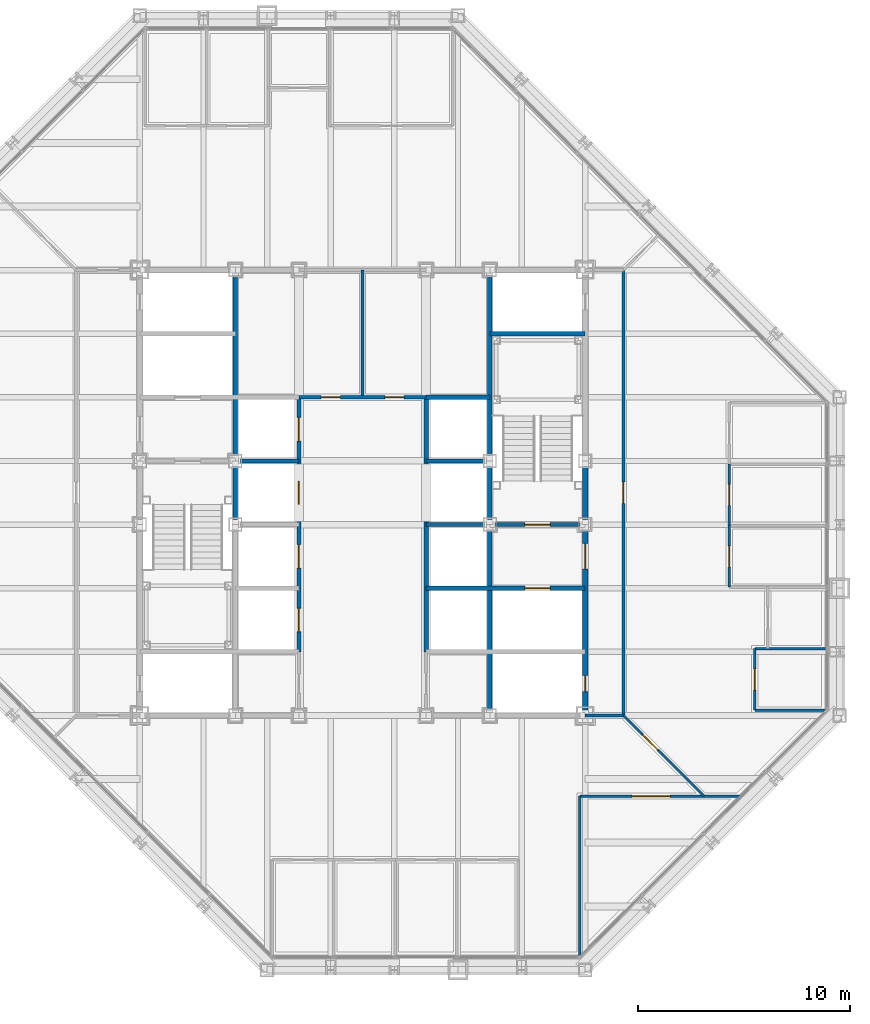
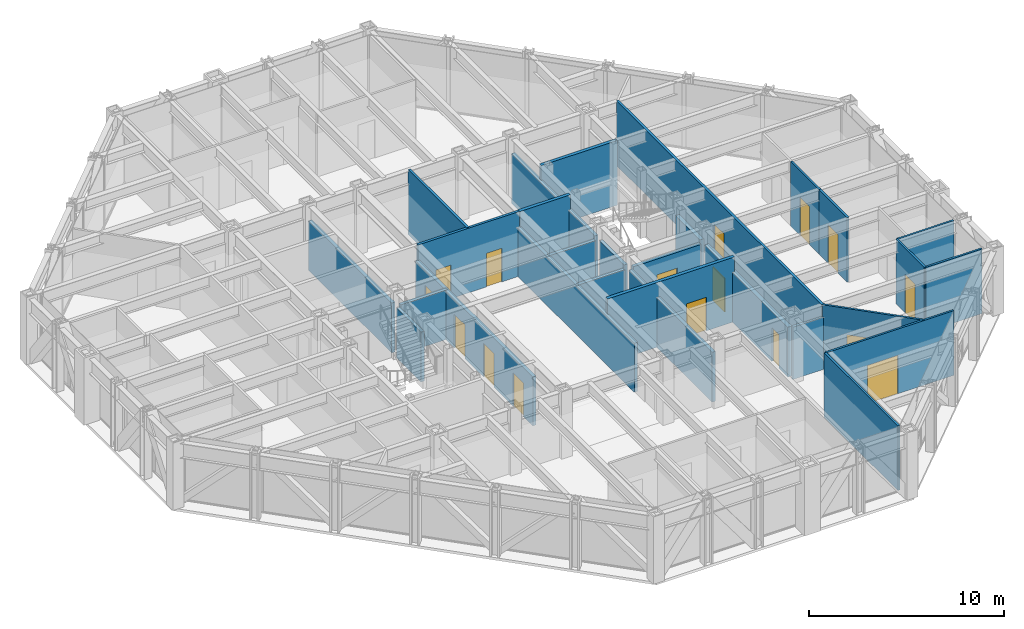
# One storey, part 11 of 15: 28 walls, 16 doors, 16 openings.
"""IFC4 building model written with IfcOpenShell, lengths in metres."""

import ifcopenshell
import ifcopenshell.guid

model = None  # the IFC model being written
_history = None  # IfcOwnerHistory: only IFC2X3 demands one
_inside = {}  # id of a spatial element -> (the spatial element, [elements in it])
_under = {}  # id of a project, library or spatial element -> (it, [spatial elements below it])
_declared = {}  # id of a project -> (the project, [libraries it declares])
_typed = {}  # id of a type object -> (the type object, [elements of that type])
_made_of = {}  # id of a material, layer set ... -> (it, [elements and type objects made of it])


def new_model(schema):
    """Start an empty IFC model of exactly this schema.

    Asked for "IFC4X3", IfcOpenShell would pick the latest addendum, in which some entities
    have other attributes; the version numbers below select the first issue.
    IFC2X3 requires an IfcOwnerHistory on every rooted entity: one is made here for all.
    """
    global model, _history
    if schema == "IFC4X3":
        model = ifcopenshell.file(schema_version=(4, 3, 0, 0))
    else:
        model = ifcopenshell.file(schema=schema)
    _inside.clear()
    _under.clear()
    _declared.clear()
    _typed.clear()
    _made_of.clear()
    _history = None
    if model.schema == "IFC2X3":
        org = make("IfcOrganization", Name="unknown")
        user = make(
            "IfcPersonAndOrganization",
            ThePerson=make("IfcPerson", FamilyName="unknown"),
            TheOrganization=org,
        )
        app = make(
            "IfcApplication",
            ApplicationDeveloper=org,
            Version="unknown",
            ApplicationFullName="unknown",
            ApplicationIdentifier="unknown",
        )
        _history = make(
            "IfcOwnerHistory",
            OwningUser=user,
            OwningApplication=app,
            ChangeAction="ADDED",
            CreationDate=0,
        )
    return model


def make(cls, **values):
    """One entity of the class cls with the attributes given. An attribute that is None is left unset."""
    return model.create_entity(
        cls, **{name: value for name, value in values.items() if value is not None}
    )


def rooted(cls, **values):
    """An entity with a GlobalId (a new one), such as an element, a storey or a relation."""
    return make(cls, GlobalId=ifcopenshell.guid.new(), OwnerHistory=_history, **values)


def si_unit(unit_type, name, prefix=None):
    """IfcSIUnit, for example si_unit("LENGTHUNIT", "METRE", prefix="MILLI")."""
    return make("IfcSIUnit", UnitType=unit_type, Prefix=prefix, Name=name)


def assignment(units):
    """IfcUnitAssignment: the units of a project."""
    return None if units is None else make("IfcUnitAssignment", Units=units)


def point(xyz):
    """IfcCartesianPoint."""
    return None if xyz is None else make("IfcCartesianPoint", Coordinates=xyz)


def direction(xyz):
    """IfcDirection."""
    return None if xyz is None else make("IfcDirection", DirectionRatios=xyz)


def frame(location, z_axis=None, x_axis=None):
    """IfcAxis2Placement3D, a coordinate frame: its origin and axes. An axis left out is left unset."""
    return make(
        "IfcAxis2Placement3D",
        Location=point(location),
        Axis=direction(z_axis),
        RefDirection=direction(x_axis),
    )


def frame_2d(location, x_axis=None):
    """IfcAxis2Placement2D, a coordinate frame in the plane: its origin and x axis."""
    return make(
        "IfcAxis2Placement2D", Location=point(location), RefDirection=direction(x_axis)
    )


def origin():
    """The frame at (0, 0, 0) with its axes left unset."""
    return frame((0.0, 0.0, 0.0))


def place(relative_to, where):
    """IfcLocalPlacement: puts the frame where relative to a parent placement (None: the world)."""
    return make(
        "IfcLocalPlacement", PlacementRelTo=relative_to, RelativePlacement=where
    )


def context(
    kind, dimensions, precision=None, world=None, true_north=None, identifier=None
):
    """IfcGeometricRepresentationContext, for example the 3D "Model" context."""
    return make(
        "IfcGeometricRepresentationContext",
        ContextIdentifier=identifier,
        ContextType=kind,
        CoordinateSpaceDimension=dimensions,
        Precision=precision,
        WorldCoordinateSystem=world,
        TrueNorth=true_north,
    )


def subcontext(parent, identifier, kind, view, scale=None):
    """IfcGeometricRepresentationSubContext, for example "Body" below "Model"."""
    return make(
        "IfcGeometricRepresentationSubContext",
        ContextIdentifier=identifier,
        ContextType=kind,
        ParentContext=parent,
        TargetScale=scale,
        TargetView=view,
    )


def project(units=None, contexts=None):
    """IfcProject with its units and contexts."""
    return rooted(
        "IfcProject",
        Name="project",
        RepresentationContexts=contexts,
        UnitsInContext=assignment(units),
    )


def spatial(cls, under=None, at=None, **own):
    """A site, building, storey or space (cls), placed at a placement, below another one or the project."""
    s = rooted(cls, ObjectPlacement=at, **own)
    if under is not None:
        _under.setdefault(under.id(), (under, []))[1].append(s)
    return s


def profile(cls, at=None, kind="AREA", **sizes):
    """A parametric profile (cls). Its sizes go by their IFC names, for example OverallWidth=200.0."""
    return make(cls, ProfileType=kind, Position=at, **sizes)


def rectangle(**sizes):
    """IfcRectangleProfileDef."""
    return profile("IfcRectangleProfileDef", **sizes)


def extrude(swept, where, along, depth):
    """IfcExtrudedAreaSolid: the profile swept, set in the frame where, extruded along a direction by depth."""
    return make(
        "IfcExtrudedAreaSolid",
        SweptArea=swept,
        Position=where,
        ExtrudedDirection=direction(along),
        Depth=depth,
    )


def shape(context_of_items, identifier, shape_type, items):
    """IfcShapeRepresentation: the items that make up one representation, for example the "Body"."""
    return make(
        "IfcShapeRepresentation",
        ContextOfItems=context_of_items,
        RepresentationIdentifier=identifier,
        RepresentationType=shape_type,
        Items=items,
    )


def material(Name=None, Category=None):
    """IfcMaterial."""
    return make("IfcMaterial", Name=Name, Category=Category)


def layer(
    of_material, thickness, ventilated=None, Name=None, Category=None, Priority=None
):
    """IfcMaterialLayer: one layer of a wall or slab, of a material (None: an air gap)."""
    return make(
        "IfcMaterialLayer",
        Material=of_material,
        LayerThickness=thickness,
        IsVentilated=ventilated,
        Name=Name,
        Category=Category,
        Priority=Priority,
    )


def layer_set(layers, Name=None):
    """IfcMaterialLayerSet."""
    return make("IfcMaterialLayerSet", MaterialLayers=layers, LayerSetName=Name)


def made_of(thing, what):
    """Note that an element or type object is made of a material, layer set ...; save() writes the relation."""
    if what is not None:
        _made_of.setdefault(what.id(), (what, []))[1].append(thing)
    return thing


def type_object(cls, material=None, **own):
    """A type object (cls), such as IfcWallType, which elements share."""
    return made_of(rooted(cls, **own), material)


def element(
    cls,
    number,
    at=None,
    inside=None,
    cuts=None,
    type_object=None,
    material=None,
    context=None,
    identifier="Body",
    shape_type=None,
    held_by="IfcProductDefinitionShape",
    body=None,
    shapes=None,
    **own,
):
    """One element of the class cls, such as IfcWall. Its Tag is "e" and its number.

    at: its placement. inside: the storey or other place that contains it. cuts: it is an
    opening in that element (IfcRelVoidsElement). A single representation is given by context,
    identifier, shape_type and body (its items); several are given by shapes. held_by: the class
    of the entity that holds the representations. save() writes the other relations.
    """
    e = rooted(cls, Tag="e%d" % number, ObjectPlacement=at, **own)
    if body is not None:
        shapes = [shape(context, identifier, shape_type, body)]
    if shapes is not None:
        e.Representation = make(held_by, Representations=shapes)
    if inside is not None:
        _inside.setdefault(inside.id(), (inside, []))[1].append(e)
    if cuts is not None:
        rooted(
            "IfcRelVoidsElement", RelatingBuildingElement=cuts, RelatedOpeningElement=e
        )
    if type_object is not None:
        _typed.setdefault(type_object.id(), (type_object, []))[1].append(e)
    return made_of(e, material)


def fill(opening, filler):
    """IfcRelFillsElement: the door or window that sits in an opening."""
    return rooted(
        "IfcRelFillsElement",
        RelatingOpeningElement=opening,
        RelatedBuildingElement=filler,
    )


def aggregate(whole, parts):
    """IfcRelAggregates: a whole, such as a stair, and the parts it consists of."""
    return rooted("IfcRelAggregates", RelatingObject=whole, RelatedObjects=parts)


def save(model, path):
    """Write the relations noted so far, then the file.

    IfcRelAggregates (storeys below a building ...), IfcRelContainedInSpatialStructure (elements
    in a storey), IfcRelDefinesByType, IfcRelAssociatesMaterial and IfcRelDeclares: one each for
    every whole, place, type object, material and project.
    """
    for whole, parts in _under.values():
        aggregate(whole, parts)
    for where, things in _inside.values():
        rooted(
            "IfcRelContainedInSpatialStructure",
            RelatedElements=things,
            RelatingStructure=where,
        )
    for kind, things in _typed.values():
        rooted("IfcRelDefinesByType", RelatedObjects=things, RelatingType=kind)
    for what, things in _made_of.values():
        rooted("IfcRelAssociatesMaterial", RelatedObjects=things, RelatingMaterial=what)
    for by, libraries in _declared.values():
        rooted("IfcRelDeclares", RelatingContext=by, RelatedDefinitions=libraries)
    model.write(path)


model = new_model("IFC4")

# Units and contexts
model_context = context("Model", 3, precision=1e-05, world=origin(), true_north=direction((0.0, 1.0)))
body_context = subcontext(model_context, "Body", "Model", "MODEL_VIEW")
ifc_project = project(units=[si_unit("LENGTHUNIT", "METRE"), si_unit("AREAUNIT", "SQUARE_METRE"), si_unit("VOLUMEUNIT", "CUBIC_METRE"), si_unit("PLANEANGLEUNIT", "RADIAN"), si_unit("MASSUNIT", "GRAM", prefix="KILO")], contexts=[model_context])

# Site, building, storey
site_placement = place(None, origin())
site = spatial("IfcSite", under=ifc_project, at=site_placement, CompositionType="ELEMENT")
building_placement = place(site_placement, origin())
building = spatial("IfcBuilding", under=site, at=building_placement, Name="Chuquiago Exchange Tower", CompositionType="ELEMENT")
storey_placement = place(building_placement, frame((0.0, 0.0, 188.699951171875)))
storey = spatial("IfcBuildingStorey", under=building, at=storey_placement, Name="L41", CompositionType="ELEMENT", Elevation=188.699951171875)

# Wall, openings, doors
ifc_material_1 = material(Name="Concrete masonry, fully grouted", Category="masonry")
ifc_layer_1 = layer(ifc_material_1, 0.25)
ifc_layer_set_1 = layer_set([ifc_layer_1], Name="W1 core wall 250")
wall_type_1 = type_object("IfcWallType", Name="W1 core wall 250", PredefinedType="SOLIDWALL", material=ifc_layer_set_1)
wall_1_placement = place(storey_placement, frame((33.0, 12.25, 0.0), z_axis=(0.0, 0.0, 1.0), x_axis=(0.0, 1.0, 0.0)))
wall_1 = element("IfcWall", 1, at=wall_1_placement, inside=storey, type_object=wall_type_1, Name="CW-L41-25-0", PredefinedType="SOLIDWALL", context=body_context, shape_type="SweptSolid", body=[
    extrude(rectangle(XDim=8.5, YDim=0.25, at=frame_2d((4.25, 0.0))), origin(), (0.0, 0.0, 1.0), 3.113037109375),
])
opening_1_placement = place(wall_1_placement, frame((6.64990234375, 0.0, 0.0)))
opening_1 = element("IfcOpeningElement", 2, at=opening_1_placement, cuts=wall_1, Name="Opening L41-004", PredefinedType="OPENING", context=body_context, shape_type="SweptSolid", body=[
    extrude(rectangle(XDim=1.199951171875, YDim=2.10009765625, at=frame_2d((0.60009765625, 1.050048828125))), frame((0.0, 0.135009765625, 0.0), z_axis=(0.0, -1.0, 0.0), x_axis=(1.0, 0.0, 0.0)), (0.0, 0.0, 1.0), 0.27001953125),
])
opening_2_placement = place(wall_1_placement, frame((0.875, 0.0, 0.0)))
opening_2 = element("IfcOpeningElement", 3, at=opening_2_placement, cuts=wall_1, Name="Opening L41-009", PredefinedType="OPENING", context=body_context, shape_type="SweptSolid", body=[
    extrude(rectangle(XDim=0.75, YDim=2.10009765625, at=frame_2d((0.375, 1.050048828125))), frame((0.0, 0.135009765625, 0.0), z_axis=(0.0, -1.0, 0.0), x_axis=(1.0, 0.0, 0.0)), (0.0, 0.0, 1.0), 0.27001953125),
])
ifc_material_2 = material(Name="Steel door, painted", Category="steel")
door_type_1 = type_object("IfcDoorType", Name="D5 firefighting lobby door 1200x2100", OperationType="SINGLE_SWING_LEFT", PredefinedType="DOOR", material=ifc_material_2)
door_1_placement = place(opening_1_placement, origin())
door_1 = element("IfcDoor", 4, at=door_1_placement, inside=storey, type_object=door_type_1, Name="Firefighting lobby 2 door", OperationType="SINGLE_SWING_RIGHT", OverallHeight=2.10009765625, OverallWidth=1.199951171875, PredefinedType="DOOR", context=body_context, shape_type="SweptSolid", body=[
    extrude(rectangle(XDim=1.199951171875, YDim=2.10009765625, at=frame_2d((0.60009765625, 1.050048828125))), frame((0.0, 0.02490234375, 0.0), z_axis=(0.0, -1.0, 0.0), x_axis=(1.0, 0.0, 0.0)), (0.0, 0.0, 1.0), 0.050048828125),
])
fill(opening_1, door_1)
ifc_material_3 = material(Name="Steel door, painted", Category="steel")
door_type_2 = type_object("IfcDoorType", Name="D6 riser access door 750x2100", OperationType="SINGLE_SWING_LEFT", PredefinedType="DOOR", material=ifc_material_3)
door_2_placement = place(opening_2_placement, frame((0.75, 0.0, 0.0), z_axis=(0.0, 0.0, 1.0), x_axis=(-1.0, 0.0, 0.0)))
door_2 = element("IfcDoor", 5, at=door_2_placement, inside=storey, type_object=door_type_2, Name="Riser RE1 door", OperationType="SINGLE_SWING_RIGHT", OverallHeight=2.10009765625, OverallWidth=0.75, PredefinedType="DOOR", context=body_context, shape_type="SweptSolid", body=[
    extrude(rectangle(XDim=0.75, YDim=2.10009765625, at=frame_2d((0.375, 1.050048828125))), frame((0.0, 0.02490234375, 0.0), z_axis=(0.0, -1.0, 0.0), x_axis=(1.0, 0.0, 0.0)), (0.0, 0.0, 1.0), 0.050048828125),
])
fill(opening_2, door_2)

# Wall
wall_2_placement = place(storey_placement, frame((33.0, 21.25, 0.0), z_axis=(0.0, 0.0, 1.0), x_axis=(0.0, 1.0, 0.0)))
element("IfcWall", 6, at=wall_2_placement, inside=storey, type_object=wall_type_1, Name="CW-L41-25-1", PredefinedType="SOLIDWALL", context=body_context, shape_type="SweptSolid", body=[
    extrude(rectangle(XDim=2.5, YDim=0.25, at=frame_2d((1.25, 0.0))), origin(), (0.0, 0.0, 1.0), 3.113037109375),
])

# Wall, opening, door
ifc_material_4 = material(Name="Gypsum board on steel studs, acoustic insulation", Category="steel")
ifc_layer_2 = layer(ifc_material_4, 0.14990234375)
ifc_layer_set_2 = layer_set([ifc_layer_2], Name="W11 corridor wall 150")
wall_type_2 = type_object("IfcWallType", Name="W11 corridor wall 150", PredefinedType="PARTITIONING", material=ifc_layer_set_2)
wall_3_placement = place(storey_placement, frame((34.800048828125, 12.0, 0.0), z_axis=(0.0, 0.0, 1.0), x_axis=(0.0, 1.0, 0.0)))
wall_3 = element("IfcWall", 7, at=wall_3_placement, inside=storey, type_object=wall_type_2, Name="PW-L41-GE0", PredefinedType="PARTITIONING", context=body_context, shape_type="SweptSolid", body=[
    extrude(rectangle(XDim=21.0, YDim=0.14990234375, at=frame_2d((10.5, 0.0))), origin(), (0.0, 0.0, 1.0), 4.0400390625),
])
opening_3_placement = place(wall_3_placement, frame((10.0, 0.0, 0.0)))
opening_3 = element("IfcOpeningElement", 8, at=opening_3_placement, cuts=wall_3, Name="Opening L41-040", PredefinedType="OPENING", context=body_context, shape_type="SweptSolid", body=[
    extrude(rectangle(XDim=1.0, YDim=2.39990234375, at=frame_2d((0.5, 1.199951171875))), frame((0.0, 0.0849609375, 0.0), z_axis=(0.0, -1.0, 0.0), x_axis=(1.0, 0.0, 0.0)), (0.0, 0.0, 1.0), 0.169921875),
])
ifc_material_5 = material(Name="Timber door, laminate faced", Category="wood")
door_type_3 = type_object("IfcDoorType", Name="D9 room door 1000x2400", OperationType="SINGLE_SWING_LEFT", PredefinedType="DOOR", material=ifc_material_5)
door_3_placement = place(opening_3_placement, frame((1.0, 0.0, 0.0), z_axis=(0.0, 0.0, 1.0), x_axis=(-1.0, 0.0, 0.0)))
door_3 = element("IfcDoor", 9, at=door_3_placement, inside=storey, type_object=door_type_3, Name="Team area door", OperationType="SINGLE_SWING_RIGHT", OverallHeight=2.39990234375, OverallWidth=1.0, PredefinedType="DOOR", context=body_context, shape_type="SweptSolid", body=[
    extrude(rectangle(XDim=1.0, YDim=2.39990234375, at=frame_2d((0.5, 1.199951171875))), frame((0.0, 0.02490234375, 0.0), z_axis=(0.0, -1.0, 0.0), x_axis=(1.0, 0.0, 0.0)), (0.0, 0.0, 1.0), 0.050048828125),
])
fill(opening_3, door_3)

# Walls
wall_4_placement = place(storey_placement, frame((33.0, 12.0, 0.0), z_axis=(0.0, 0.0, 1.0), x_axis=(1.0, 0.0, 0.0)))
element("IfcWall", 10, at=wall_4_placement, inside=storey, type_object=wall_type_2, Name="PW-L41-GES0", PredefinedType="PARTITIONING", context=body_context, shape_type="SweptSolid", body=[
    extrude(rectangle(XDim=1.800048828125, YDim=0.14990234375, at=frame_2d((0.89990234375, 0.0))), origin(), (0.0, 0.0, 1.0), 3.2705078125),
])
ifc_material_6 = material(Name="Concrete masonry, fully grouted", Category="masonry")
ifc_layer_3 = layer(ifc_material_6, 0.199951171875)
ifc_layer_set_3 = layer_set([ifc_layer_3], Name="W2 shaft wall 200")
wall_type_3 = type_object("IfcWallType", Name="W2 shaft wall 200", PredefinedType="SOLIDWALL", material=ifc_layer_set_3)
for number, where, z_axis, x_axis, name in (
    (11, (16.75, 24.0, 0.0), (0.0, 0.0, 1.0), (1.0, 0.0, 0.0), "CW-L41-05-1"),
    (12, (25.5, 24.0, 0.0), (0.0, 0.0, 1.0), (1.0, 0.0, 0.0), "CW-L41-06-0"),
):
    element("IfcWall", number, at=place(storey_placement, frame(where, z_axis=z_axis, x_axis=x_axis)), inside=storey, type_object=wall_type_3, Name=name, PredefinedType="SOLIDWALL", context=body_context, shape_type="SweptSolid", body=[
        extrude(rectangle(XDim=2.75, YDim=0.199951171875, at=frame_2d((1.375, 0.0))), origin(), (0.0, 0.0, 1.0), 3.090087890625),
    ])
wall_5_placement = place(storey_placement, frame((25.5, 27.0, 0.0), z_axis=(0.0, 0.0, 1.0), x_axis=(1.0, 0.0, 0.0)))
element("IfcWall", 13, at=wall_5_placement, inside=storey, type_object=wall_type_3, Name="CW-L41-08-0", PredefinedType="SOLIDWALL", context=body_context, shape_type="SweptSolid", body=[
    extrude(rectangle(XDim=3.0, YDim=0.199951171875, at=frame_2d((1.5, 0.0))), origin(), (0.0, 0.0, 1.0), 4.0400390625),
])
wall_6_placement = place(storey_placement, frame((28.5, 30.0, 0.0), z_axis=(0.0, 0.0, 1.0), x_axis=(1.0, 0.0, 0.0)))
element("IfcWall", 14, at=wall_6_placement, inside=storey, type_object=wall_type_3, Name="CW-L41-10-0", PredefinedType="SOLIDWALL", context=body_context, shape_type="SweptSolid", body=[
    extrude(rectangle(XDim=4.5, YDim=0.199951171875, at=frame_2d((2.25, 0.0))), origin(), (0.0, 0.0, 1.0), 4.0400390625),
])
wall_7_placement = place(storey_placement, frame((16.5, 21.25, 0.0), z_axis=(0.0, 0.0, 1.0), x_axis=(0.0, 1.0, 0.0)))
element("IfcWall", 15, at=wall_7_placement, inside=storey, type_object=wall_type_3, Name="CW-L41-13-1", PredefinedType="SOLIDWALL", context=body_context, shape_type="SweptSolid", body=[
    extrude(rectangle(XDim=2.5, YDim=0.199951171875, at=frame_2d((1.25, 0.0))), origin(), (0.0, 0.0, 1.0), 3.113037109375),
])
wall_8_placement = place(storey_placement, frame((16.5, 24.25, 0.0), z_axis=(0.0, 0.0, 1.0), x_axis=(0.0, 1.0, 0.0)))
element("IfcWall", 16, at=wall_8_placement, inside=storey, type_object=wall_type_3, Name="CW-L41-13-2", PredefinedType="SOLIDWALL", context=body_context, shape_type="SweptSolid", body=[
    extrude(rectangle(XDim=8.5, YDim=0.199951171875, at=frame_2d((4.25, 0.0))), origin(), (0.0, 0.0, 1.0), 3.113037109375),
])

# Wall, opening, door
wall_9_placement = place(storey_placement, frame((25.5, 18.0, 0.0), z_axis=(0.0, 0.0, 1.0), x_axis=(1.0, 0.0, 0.0)))
wall_9 = element("IfcWall", 17, at=wall_9_placement, inside=storey, type_object=wall_type_3, Name="CW-L41-15-0", PredefinedType="SOLIDWALL", context=body_context, shape_type="SweptSolid", body=[
    extrude(rectangle(XDim=7.5, YDim=0.199951171875, at=frame_2d((3.75, 0.0))), origin(), (0.0, 0.0, 1.0), 4.0400390625),
])
opening_4_placement = place(wall_9_placement, frame((4.64990234375, 0.0, 0.0)))
opening_4 = element("IfcOpeningElement", 18, at=opening_4_placement, cuts=wall_9, Name="Opening L41-006", PredefinedType="OPENING", context=body_context, shape_type="SweptSolid", body=[
    extrude(rectangle(XDim=1.199951171875, YDim=2.10009765625, at=frame_2d((0.60009765625, 1.050048828125))), frame((0.0, 0.10986328125, 0.0), z_axis=(0.0, -1.0, 0.0), x_axis=(1.0, 0.0, 0.0)), (0.0, 0.0, 1.0), 0.219970703125),
])
ifc_material_7 = material(Name="Stainless steel lift landing door", Category="steel")
door_type_4 = type_object("IfcDoorType", Name="LD2 firefighting lift landing door 1200x2100", OperationType="DOUBLE_DOOR_SLIDING", PredefinedType="DOOR", material=ifc_material_7)
door_4_placement = place(opening_4_placement, origin())
door_4 = element("IfcDoor", 19, at=door_4_placement, inside=storey, type_object=door_type_4, Name="Firefighting lift FL2 landing door", OperationType="DOUBLE_DOOR_SLIDING", OverallHeight=2.10009765625, OverallWidth=1.199951171875, PredefinedType="DOOR", context=body_context, shape_type="SweptSolid", body=[
    extrude(rectangle(XDim=1.199951171875, YDim=2.10009765625, at=frame_2d((0.60009765625, 1.050048828125))), frame((0.0, 0.02490234375, 0.0), z_axis=(0.0, -1.0, 0.0), x_axis=(1.0, 0.0, 0.0)), (0.0, 0.0, 1.0), 0.050048828125),
])
fill(opening_4, door_4)

# Wall
wall_10_placement = place(storey_placement, frame((25.5, 21.0, 0.0), z_axis=(0.0, 0.0, 1.0), x_axis=(1.0, 0.0, 0.0)))
element("IfcWall", 20, at=wall_10_placement, inside=storey, type_object=wall_type_3, Name="CW-L41-17-0", PredefinedType="SOLIDWALL", context=body_context, shape_type="SweptSolid", body=[
    extrude(rectangle(XDim=2.75, YDim=0.199951171875, at=frame_2d((1.375, 0.0))), origin(), (0.0, 0.0, 1.0), 3.090087890625),
])

# Wall, opening, door
wall_11_placement = place(storey_placement, frame((28.75, 21.0, 0.0), z_axis=(0.0, 0.0, 1.0), x_axis=(1.0, 0.0, 0.0)))
wall_11 = element("IfcWall", 21, at=wall_11_placement, inside=storey, type_object=wall_type_3, Name="CW-L41-17-1", PredefinedType="SOLIDWALL", context=body_context, shape_type="SweptSolid", body=[
    extrude(rectangle(XDim=4.0, YDim=0.199951171875, at=frame_2d((2.0, 0.0))), origin(), (0.0, 0.0, 1.0), 3.090087890625),
])
opening_5_placement = place(wall_11_placement, frame((1.39990234375, 0.0, 0.0)))
opening_5 = element("IfcOpeningElement", 22, at=opening_5_placement, cuts=wall_11, Name="Opening L41-003", PredefinedType="OPENING", context=body_context, shape_type="SweptSolid", body=[
    extrude(rectangle(XDim=1.199951171875, YDim=2.10009765625, at=frame_2d((0.60009765625, 1.050048828125))), frame((0.0, 0.10986328125, 0.0), z_axis=(0.0, -1.0, 0.0), x_axis=(1.0, 0.0, 0.0)), (0.0, 0.0, 1.0), 0.219970703125),
])
ifc_material_8 = material(Name="Steel door, painted", Category="steel")
door_type_5 = type_object("IfcDoorType", Name="D4 stair door 1200x2100", OperationType="SINGLE_SWING_LEFT", PredefinedType="DOOR", material=ifc_material_8)
door_5_placement = place(opening_5_placement, origin())
door_5 = element("IfcDoor", 23, at=door_5_placement, inside=storey, type_object=door_type_5, Name="Stair ST2 door", OperationType="SINGLE_SWING_LEFT", OverallHeight=2.10009765625, OverallWidth=1.199951171875, PredefinedType="DOOR", context=body_context, shape_type="SweptSolid", body=[
    extrude(rectangle(XDim=1.199951171875, YDim=2.10009765625, at=frame_2d((0.60009765625, 1.050048828125))), frame((0.0, 0.02490234375, 0.0), z_axis=(0.0, -1.0, 0.0), x_axis=(1.0, 0.0, 0.0)), (0.0, 0.0, 1.0), 0.050048828125),
])
fill(opening_5, door_5)

# Wall, openings, doors
wall_12_placement = place(storey_placement, frame((19.5, 15.0, 0.0), z_axis=(0.0, 0.0, 1.0), x_axis=(0.0, 1.0, 0.0)))
wall_12 = element("IfcWall", 24, at=wall_12_placement, inside=storey, type_object=wall_type_3, Name="CW-L41-19-0", PredefinedType="SOLIDWALL", context=body_context, shape_type="SweptSolid", body=[
    extrude(rectangle(XDim=12.0, YDim=0.199951171875, at=frame_2d((6.0, 0.0))), origin(), (0.0, 0.0, 1.0), 3.064697265625),
])
opening_6_placement = place(wall_12_placement, frame((0.949951171875, 0.0, 0.0)))
opening_6 = element("IfcOpeningElement", 25, at=opening_6_placement, cuts=wall_12, Name="Opening L41-015", PredefinedType="OPENING", context=body_context, shape_type="SweptSolid", body=[
    extrude(rectangle(XDim=1.10009765625, YDim=2.10009765625, at=frame_2d((0.550048828125, 1.050048828125))), frame((0.0, 0.10986328125, 0.0), z_axis=(0.0, -1.0, 0.0), x_axis=(1.0, 0.0, 0.0)), (0.0, 0.0, 1.0), 0.219970703125),
])
opening_7_placement = place(wall_12_placement, frame((3.949951171875, 0.0, 0.0)))
opening_7 = element("IfcOpeningElement", 26, at=opening_7_placement, cuts=wall_12, Name="Opening L41-016", PredefinedType="OPENING", context=body_context, shape_type="SweptSolid", body=[
    extrude(rectangle(XDim=1.10009765625, YDim=2.10009765625, at=frame_2d((0.550048828125, 1.050048828125))), frame((0.0, 0.10986328125, 0.0), z_axis=(0.0, -1.0, 0.0), x_axis=(1.0, 0.0, 0.0)), (0.0, 0.0, 1.0), 0.219970703125),
])
opening_8_placement = place(wall_12_placement, frame((6.949951171875, 0.0, 0.0)))
opening_8 = element("IfcOpeningElement", 27, at=opening_8_placement, cuts=wall_12, Name="Opening L41-017", PredefinedType="OPENING", context=body_context, shape_type="SweptSolid", body=[
    extrude(rectangle(XDim=1.10009765625, YDim=2.10009765625, at=frame_2d((0.550048828125, 1.050048828125))), frame((0.0, 0.10986328125, 0.0), z_axis=(0.0, -1.0, 0.0), x_axis=(1.0, 0.0, 0.0)), (0.0, 0.0, 1.0), 0.219970703125),
])
opening_9_placement = place(wall_12_placement, frame((9.949951171875, 0.0, 0.0)))
opening_9 = element("IfcOpeningElement", 28, at=opening_9_placement, cuts=wall_12, Name="Opening L41-018", PredefinedType="OPENING", context=body_context, shape_type="SweptSolid", body=[
    extrude(rectangle(XDim=1.10009765625, YDim=2.10009765625, at=frame_2d((0.550048828125, 1.050048828125))), frame((0.0, 0.10986328125, 0.0), z_axis=(0.0, -1.0, 0.0), x_axis=(1.0, 0.0, 0.0)), (0.0, 0.0, 1.0), 0.219970703125),
])
ifc_material_9 = material(Name="Stainless steel lift landing door", Category="steel")
door_type_6 = type_object("IfcDoorType", Name="LD1 lift landing door 1100x2100", OperationType="DOUBLE_DOOR_SLIDING", PredefinedType="DOOR", material=ifc_material_9)
door_6_placement = place(opening_6_placement, origin())
door_6 = element("IfcDoor", 29, at=door_6_placement, inside=storey, type_object=door_type_6, Name="Lift LC1 landing door", OperationType="DOUBLE_DOOR_SLIDING", OverallHeight=2.10009765625, OverallWidth=1.10009765625, PredefinedType="DOOR", context=body_context, shape_type="SweptSolid", body=[
    extrude(rectangle(XDim=1.10009765625, YDim=2.10009765625, at=frame_2d((0.550048828125, 1.050048828125))), frame((0.0, 0.02490234375, 0.0), z_axis=(0.0, -1.0, 0.0), x_axis=(1.0, 0.0, 0.0)), (0.0, 0.0, 1.0), 0.050048828125),
])
fill(opening_6, door_6)
door_7_placement = place(opening_7_placement, origin())
door_7 = element("IfcDoor", 30, at=door_7_placement, inside=storey, type_object=door_type_6, Name="Lift LC2 landing door", OperationType="DOUBLE_DOOR_SLIDING", OverallHeight=2.10009765625, OverallWidth=1.10009765625, PredefinedType="DOOR", context=body_context, shape_type="SweptSolid", body=[
    extrude(rectangle(XDim=1.10009765625, YDim=2.10009765625, at=frame_2d((0.550048828125, 1.050048828125))), frame((0.0, 0.02490234375, 0.0), z_axis=(0.0, -1.0, 0.0), x_axis=(1.0, 0.0, 0.0)), (0.0, 0.0, 1.0), 0.050048828125),
])
fill(opening_7, door_7)
door_8_placement = place(opening_8_placement, origin())
door_8 = element("IfcDoor", 31, at=door_8_placement, inside=storey, type_object=door_type_6, Name="Lift LC3 landing door", OperationType="DOUBLE_DOOR_SLIDING", OverallHeight=2.10009765625, OverallWidth=1.10009765625, PredefinedType="DOOR", context=body_context, shape_type="SweptSolid", body=[
    extrude(rectangle(XDim=1.10009765625, YDim=2.10009765625, at=frame_2d((0.550048828125, 1.050048828125))), frame((0.0, 0.02490234375, 0.0), z_axis=(0.0, -1.0, 0.0), x_axis=(1.0, 0.0, 0.0)), (0.0, 0.0, 1.0), 0.050048828125),
])
fill(opening_8, door_8)
door_9_placement = place(opening_9_placement, origin())
door_9 = element("IfcDoor", 32, at=door_9_placement, inside=storey, type_object=door_type_6, Name="Lift LC4 landing door", OperationType="DOUBLE_DOOR_SLIDING", OverallHeight=2.10009765625, OverallWidth=1.10009765625, PredefinedType="DOOR", context=body_context, shape_type="SweptSolid", body=[
    extrude(rectangle(XDim=1.10009765625, YDim=2.10009765625, at=frame_2d((0.550048828125, 1.050048828125))), frame((0.0, 0.02490234375, 0.0), z_axis=(0.0, -1.0, 0.0), x_axis=(1.0, 0.0, 0.0)), (0.0, 0.0, 1.0), 0.050048828125),
])
fill(opening_9, door_9)

# Walls
wall_13_placement = place(storey_placement, frame((25.5, 15.0, 0.0), z_axis=(0.0, 0.0, 1.0), x_axis=(0.0, 1.0, 0.0)))
element("IfcWall", 33, at=wall_13_placement, inside=storey, type_object=wall_type_3, Name="CW-L41-22-0", PredefinedType="SOLIDWALL", context=body_context, shape_type="SweptSolid", body=[
    extrude(rectangle(XDim=12.0, YDim=0.199951171875, at=frame_2d((6.0, 0.0))), origin(), (0.0, 0.0, 1.0), 3.064697265625),
])
wall_14_placement = place(storey_placement, frame((28.5, 12.25, 0.0), z_axis=(0.0, 0.0, 1.0), x_axis=(0.0, 1.0, 0.0)))
element("IfcWall", 34, at=wall_14_placement, inside=storey, type_object=wall_type_3, Name="CW-L41-24-0", PredefinedType="SOLIDWALL", context=body_context, shape_type="SweptSolid", body=[
    extrude(rectangle(XDim=8.5, YDim=0.199951171875, at=frame_2d((4.25, 0.0))), origin(), (0.0, 0.0, 1.0), 3.113037109375),
])
wall_15_placement = place(storey_placement, frame((28.5, 21.25, 0.0), z_axis=(0.0, 0.0, 1.0), x_axis=(0.0, 1.0, 0.0)))
element("IfcWall", 35, at=wall_15_placement, inside=storey, type_object=wall_type_3, Name="CW-L41-24-1", PredefinedType="SOLIDWALL", context=body_context, shape_type="SweptSolid", body=[
    extrude(rectangle(XDim=2.5, YDim=0.199951171875, at=frame_2d((1.25, 0.0))), origin(), (0.0, 0.0, 1.0), 3.113037109375),
])
wall_16_placement = place(storey_placement, frame((28.5, 24.25, 0.0), z_axis=(0.0, 0.0, 1.0), x_axis=(0.0, 1.0, 0.0)))
element("IfcWall", 36, at=wall_16_placement, inside=storey, type_object=wall_type_3, Name="CW-L41-24-2", PredefinedType="SOLIDWALL", context=body_context, shape_type="SweptSolid", body=[
    extrude(rectangle(XDim=8.5, YDim=0.199951171875, at=frame_2d((4.25, 0.0))), origin(), (0.0, 0.0, 1.0), 3.113037109375),
])

# Wall, openings, doors
ifc_material_10 = material(Name="Gypsum board on steel studs", Category="steel")
ifc_layer_4 = layer(ifc_material_10, 0.14990234375)
ifc_layer_set_4 = layer_set([ifc_layer_4], Name="W3 core partition 150")
wall_type_4 = type_object("IfcWallType", Name="W3 core partition 150", PredefinedType="PARTITIONING", material=ifc_layer_set_4)
wall_17_placement = place(storey_placement, frame((19.5, 27.0, 0.0), z_axis=(0.0, 0.0, 1.0), x_axis=(1.0, 0.0, 0.0)))
wall_17 = element("IfcWall", 37, at=wall_17_placement, inside=storey, type_object=wall_type_4, Name="CW-L41-TF", PredefinedType="PARTITIONING", context=body_context, shape_type="SweptSolid", body=[
    extrude(rectangle(XDim=6.0, YDim=0.14990234375, at=frame_2d((3.0, 0.0))), origin(), (0.0, 0.0, 1.0), 4.0400390625),
])
opening_10_placement = place(wall_17_placement, frame((1.050048828125, 0.0, 0.0)))
opening_10 = element("IfcOpeningElement", 38, at=opening_10_placement, cuts=wall_17, Name="Opening L41-011", PredefinedType="OPENING", context=body_context, shape_type="SweptSolid", body=[
    extrude(rectangle(XDim=0.89990234375, YDim=2.10009765625, at=frame_2d((0.449951171875, 1.050048828125))), frame((0.0, 0.0849609375, 0.0), z_axis=(0.0, -1.0, 0.0), x_axis=(1.0, 0.0, 0.0)), (0.0, 0.0, 1.0), 0.169921875),
])
opening_11_placement = place(wall_17_placement, frame((4.050048828125, 0.0, 0.0)))
opening_11 = element("IfcOpeningElement", 39, at=opening_11_placement, cuts=wall_17, Name="Opening L41-012", PredefinedType="OPENING", context=body_context, shape_type="SweptSolid", body=[
    extrude(rectangle(XDim=0.89990234375, YDim=2.10009765625, at=frame_2d((0.449951171875, 1.050048828125))), frame((0.0, 0.0849609375, 0.0), z_axis=(0.0, -1.0, 0.0), x_axis=(1.0, 0.0, 0.0)), (0.0, 0.0, 1.0), 0.169921875),
])
ifc_material_11 = material(Name="Timber door, laminate faced", Category="wood")
door_type_7 = type_object("IfcDoorType", Name="D7 toilet door 900x2100", OperationType="SINGLE_SWING_LEFT", PredefinedType="DOOR", material=ifc_material_11)
door_10_placement = place(opening_10_placement, origin())
door_10 = element("IfcDoor", 40, at=door_10_placement, inside=storey, type_object=door_type_7, Name="Male WC door", OperationType="SINGLE_SWING_RIGHT", OverallHeight=2.10009765625, OverallWidth=0.89990234375, PredefinedType="DOOR", context=body_context, shape_type="SweptSolid", body=[
    extrude(rectangle(XDim=0.89990234375, YDim=2.10009765625, at=frame_2d((0.449951171875, 1.050048828125))), frame((0.0, 0.02490234375, 0.0), z_axis=(0.0, -1.0, 0.0), x_axis=(1.0, 0.0, 0.0)), (0.0, 0.0, 1.0), 0.050048828125),
])
fill(opening_10, door_10)
door_11_placement = place(opening_11_placement, origin())
door_11 = element("IfcDoor", 41, at=door_11_placement, inside=storey, type_object=door_type_7, Name="Female WC door", OperationType="SINGLE_SWING_LEFT", OverallHeight=2.10009765625, OverallWidth=0.89990234375, PredefinedType="DOOR", context=body_context, shape_type="SweptSolid", body=[
    extrude(rectangle(XDim=0.89990234375, YDim=2.10009765625, at=frame_2d((0.449951171875, 1.050048828125))), frame((0.0, 0.02490234375, 0.0), z_axis=(0.0, -1.0, 0.0), x_axis=(1.0, 0.0, 0.0)), (0.0, 0.0, 1.0), 0.050048828125),
])
fill(opening_11, door_11)

# Walls
wall_18_placement = place(storey_placement, frame((22.5, 27.0, 0.0), z_axis=(0.0, 0.0, 1.0), x_axis=(0.0, 1.0, 0.0)))
element("IfcWall", 42, at=wall_18_placement, inside=storey, type_object=wall_type_4, Name="CW-L41-TM", PredefinedType="PARTITIONING", context=body_context, shape_type="SweptSolid", body=[
    extrude(rectangle(XDim=6.0, YDim=0.14990234375, at=frame_2d((3.0, 0.0))), origin(), (0.0, 0.0, 1.0), 4.0400390625),
])
ifc_material_12 = material(Name="Gypsum board on steel studs", Category="steel")
ifc_layer_5 = layer(ifc_material_12, 0.1201171875)
ifc_layer_set_5 = layer_set([ifc_layer_5], Name="W4 partition 120")
wall_type_5 = type_object("IfcWallType", Name="W4 partition 120", PredefinedType="PARTITIONING", material=ifc_layer_set_5)
wall_19_placement = place(storey_placement, frame((32.75146484375, 0.666015625, 0.0), z_axis=(0.0, 0.0, 1.0), x_axis=(0.0, 1.0, 0.0)))
element("IfcWall", 43, at=wall_19_placement, inside=storey, type_object=wall_type_5, Name="PW-L41-S03275", PredefinedType="PARTITIONING", context=body_context, shape_type="SweptSolid", body=[
    extrude(rectangle(XDim=7.533935546875, YDim=0.1201171875, at=frame_2d((3.76708984375, 0.0))), origin(), (0.0, 0.0, 1.0), 4.0400390625),
])

# Wall, opening, door
wall_20_placement = place(storey_placement, frame((32.75146484375, 8.199951171875, 0.0), z_axis=(0.0, 0.0, 1.0), x_axis=(1.0, 0.0, 0.0)))
wall_20 = element("IfcWall", 44, at=wall_20_placement, inside=storey, type_object=wall_type_5, Name="PW-L41-SF03275", PredefinedType="PARTITIONING", context=body_context, shape_type="SweptSolid", body=[
    extrude(rectangle(XDim=7.56298828125, YDim=0.1201171875, at=frame_2d((3.781494140625, 0.0))), origin(), (0.0, 0.0, 1.0), 4.0400390625),
])
opening_12_placement = place(wall_20_placement, frame((2.456298828125, 0.0, 0.0)))
opening_12 = element("IfcOpeningElement", 45, at=opening_12_placement, cuts=wall_20, Name="Opening L41-023", PredefinedType="OPENING", context=body_context, shape_type="SweptSolid", body=[
    extrude(rectangle(XDim=1.800048828125, YDim=2.39990234375, at=frame_2d((0.89990234375, 1.199951171875))), frame((0.0, 0.070068359375, 0.0), z_axis=(0.0, -1.0, 0.0), x_axis=(1.0, 0.0, 0.0)), (0.0, 0.0, 1.0), 0.14013671875),
])
ifc_material_13 = material(Name="Timber door pair, laminate faced", Category="wood")
door_type_8 = type_object("IfcDoorType", Name="D15 double room door 1800x2400", OperationType="DOUBLE_DOOR_DOUBLE_SWING", PredefinedType="DOOR", material=ifc_material_13)
door_12_placement = place(opening_12_placement, origin())
door_12 = element("IfcDoor", 46, at=door_12_placement, inside=storey, type_object=door_type_8, Name="Boardroom door", OperationType="DOUBLE_DOOR_DOUBLE_SWING", OverallHeight=2.39990234375, OverallWidth=1.800048828125, PredefinedType="DOOR", context=body_context, shape_type="SweptSolid", body=[
    extrude(rectangle(XDim=1.800048828125, YDim=2.39990234375, at=frame_2d((0.89990234375, 1.199951171875))), frame((0.0, 0.02490234375, 0.0), z_axis=(0.0, -1.0, 0.0), x_axis=(1.0, 0.0, 0.0)), (0.0, 0.0, 1.0), 0.050048828125),
])
fill(opening_12, door_12)

# Walls
wall_21_placement = place(storey_placement, frame((44.333984375, 12.24853515625, 0.0), z_axis=(0.0, 0.0, 1.0), x_axis=(-1.0, 0.0, 0.0)))
element("IfcWall", 47, at=wall_21_placement, inside=storey, type_object=wall_type_5, Name="PW-L41-E01225", PredefinedType="PARTITIONING", context=body_context, shape_type="SweptSolid", body=[
    extrude(rectangle(XDim=3.333984375, YDim=0.1201171875, at=frame_2d((1.6669921875, 0.0))), origin(), (0.0, 0.0, 1.0), 4.0400390625),
])
wall_22_placement = place(storey_placement, frame((44.347412109375, 15.149169921875, 0.0), z_axis=(0.0, 0.0, 1.0), x_axis=(-1.0, 0.0, 0.0)))
element("IfcWall", 48, at=wall_22_placement, inside=storey, type_object=wall_type_5, Name="PW-L41-E01515", PredefinedType="PARTITIONING", context=body_context, shape_type="SweptSolid", body=[
    extrude(rectangle(XDim=3.347412109375, YDim=0.1201171875, at=frame_2d((1.673828125, 0.0))), origin(), (0.0, 0.0, 1.0), 4.0400390625),
])

# Wall, opening, door
wall_23_placement = place(storey_placement, frame((41.0, 12.24853515625, 0.0), z_axis=(0.0, 0.0, 1.0), x_axis=(0.0, 1.0, 0.0)))
wall_23 = element("IfcWall", 49, at=wall_23_placement, inside=storey, type_object=wall_type_5, Name="PW-L41-EF01225", PredefinedType="PARTITIONING", context=body_context, shape_type="SweptSolid", body=[
    extrude(rectangle(XDim=2.900634765625, YDim=0.1201171875, at=frame_2d((1.4501953125, 0.0))), origin(), (0.0, 0.0, 1.0), 4.0400390625),
])
opening_13_placement = place(wall_23_placement, frame((0.9501953125, 0.0, 0.0)))
opening_13 = element("IfcOpeningElement", 50, at=opening_13_placement, cuts=wall_23, Name="Opening L41-024", PredefinedType="OPENING", context=body_context, shape_type="SweptSolid", body=[
    extrude(rectangle(XDim=1.0, YDim=2.39990234375, at=frame_2d((0.5, 1.199951171875))), frame((0.0, 0.070068359375, 0.0), z_axis=(0.0, -1.0, 0.0), x_axis=(1.0, 0.0, 0.0)), (0.0, 0.0, 1.0), 0.14013671875),
])
door_13_placement = place(opening_13_placement, frame((1.0, 0.0, 0.0), z_axis=(0.0, 0.0, 1.0), x_axis=(-1.0, 0.0, 0.0)))
door_13 = element("IfcDoor", 51, at=door_13_placement, inside=storey, type_object=door_type_3, Name="Pantry door", OperationType="SINGLE_SWING_RIGHT", OverallHeight=2.39990234375, OverallWidth=1.0, PredefinedType="DOOR", context=body_context, shape_type="SweptSolid", body=[
    extrude(rectangle(XDim=1.0, YDim=2.39990234375, at=frame_2d((0.5, 1.199951171875))), frame((0.0, 0.02490234375, 0.0), z_axis=(0.0, -1.0, 0.0), x_axis=(1.0, 0.0, 0.0)), (0.0, 0.0, 1.0), 0.050048828125),
])
fill(opening_13, door_13)

wall_24_placement = place(storey_placement, frame((39.800048828125, 18.0498046875, 0.0), z_axis=(0.0, 0.0, 1.0), x_axis=(0.0, 1.0, 0.0)))
wall_24 = element("IfcWall", 52, at=wall_24_placement, inside=storey, type_object=wall_type_5, Name="PW-L41-EF01805", PredefinedType="PARTITIONING", context=body_context, shape_type="SweptSolid", body=[
    extrude(rectangle(XDim=2.900390625, YDim=0.1201171875, at=frame_2d((1.4501953125, 0.0))), origin(), (0.0, 0.0, 1.0), 4.0400390625),
])
opening_14_placement = place(wall_24_placement, frame((0.9501953125, 0.0, 0.0)))
opening_14 = element("IfcOpeningElement", 53, at=opening_14_placement, cuts=wall_24, Name="Opening L41-026", PredefinedType="OPENING", context=body_context, shape_type="SweptSolid", body=[
    extrude(rectangle(XDim=1.0, YDim=2.39990234375, at=frame_2d((0.5, 1.199951171875))), frame((0.0, 0.070068359375, 0.0), z_axis=(0.0, -1.0, 0.0), x_axis=(1.0, 0.0, 0.0)), (0.0, 0.0, 1.0), 0.14013671875),
])
door_14_placement = place(opening_14_placement, frame((1.0, 0.0, 0.0), z_axis=(0.0, 0.0, 1.0), x_axis=(-1.0, 0.0, 0.0)))
door_14 = element("IfcDoor", 54, at=door_14_placement, inside=storey, type_object=door_type_3, Name="Office door", OperationType="SINGLE_SWING_LEFT", OverallHeight=2.39990234375, OverallWidth=1.0, PredefinedType="DOOR", context=body_context, shape_type="SweptSolid", body=[
    extrude(rectangle(XDim=1.0, YDim=2.39990234375, at=frame_2d((0.5, 1.199951171875))), frame((0.0, 0.02490234375, 0.0), z_axis=(0.0, -1.0, 0.0), x_axis=(1.0, 0.0, 0.0)), (0.0, 0.0, 1.0), 0.050048828125),
])
fill(opening_14, door_14)

wall_25_placement = place(storey_placement, frame((39.800048828125, 20.9501953125, 0.0), z_axis=(0.0, 0.0, 1.0), x_axis=(0.0, 1.0, 0.0)))
wall_25 = element("IfcWall", 55, at=wall_25_placement, inside=storey, type_object=wall_type_5, Name="PW-L41-EF02095", PredefinedType="PARTITIONING", context=body_context, shape_type="SweptSolid", body=[
    extrude(rectangle(XDim=2.900634765625, YDim=0.1201171875, at=frame_2d((1.4501953125, 0.0))), origin(), (0.0, 0.0, 1.0), 4.0400390625),
])
opening_15_placement = place(wall_25_placement, frame((0.9501953125, 0.0, 0.0)))
opening_15 = element("IfcOpeningElement", 56, at=opening_15_placement, cuts=wall_25, Name="Opening L41-027", PredefinedType="OPENING", context=body_context, shape_type="SweptSolid", body=[
    extrude(rectangle(XDim=1.0, YDim=2.39990234375, at=frame_2d((0.5, 1.199951171875))), frame((0.0, 0.070068359375, 0.0), z_axis=(0.0, -1.0, 0.0), x_axis=(1.0, 0.0, 0.0)), (0.0, 0.0, 1.0), 0.14013671875),
])
ifc_material_14 = material(Name="Timber frame door, full height glazed panel", Category="wood")
door_type_9 = type_object("IfcDoorType", Name="D14 glazed meeting room door 1000x2400", OperationType="SINGLE_SWING_LEFT", PredefinedType="DOOR", material=ifc_material_14)
door_15_placement = place(opening_15_placement, frame((1.0, 0.0, 0.0), z_axis=(0.0, 0.0, 1.0), x_axis=(-1.0, 0.0, 0.0)))
door_15 = element("IfcDoor", 57, at=door_15_placement, inside=storey, type_object=door_type_9, Name="Meeting room door", OperationType="SINGLE_SWING_RIGHT", OverallHeight=2.39990234375, OverallWidth=1.0, PredefinedType="DOOR", context=body_context, shape_type="SweptSolid", body=[
    extrude(rectangle(XDim=1.0, YDim=2.39990234375, at=frame_2d((0.5, 1.199951171875))), frame((0.0, 0.02490234375, 0.0), z_axis=(0.0, -1.0, 0.0), x_axis=(1.0, 0.0, 0.0)), (0.0, 0.0, 1.0), 0.050048828125),
])
fill(opening_15, door_15)

wall_26_placement = place(storey_placement, frame((34.800048828125, 12.0, 0.0), z_axis=(0.0, 0.0, 1.0), x_axis=(0.707106781187, -0.707106781187, 0.0)))
wall_26 = element("IfcWall", 58, at=wall_26_placement, inside=storey, type_object=wall_type_5, Name="PW-L41-QSE", PredefinedType="PARTITIONING", context=body_context, shape_type="SweptSolid", body=[
    extrude(rectangle(XDim=5.37548828125, YDim=0.1201171875, at=frame_2d((2.687744140625, 0.0))), origin(), (0.0, 0.0, 1.0), 4.0400390625),
])
opening_16_placement = place(wall_26_placement, frame((1.300048828125, 0.0, 0.0)))
opening_16 = element("IfcOpeningElement", 59, at=opening_16_placement, cuts=wall_26, Name="Opening L41-043", PredefinedType="OPENING", context=body_context, shape_type="SweptSolid", body=[
    extrude(rectangle(XDim=1.0, YDim=2.39990234375, at=frame_2d((0.5, 1.199951171875))), frame((0.0, 0.070068359375, 0.0), z_axis=(0.0, -1.0, 0.0), x_axis=(1.0, 0.0, 0.0)), (0.0, 0.0, 1.0), 0.14013671875),
])
door_16_placement = place(opening_16_placement, origin())
door_16 = element("IfcDoor", 60, at=door_16_placement, inside=storey, type_object=door_type_3, Name="Team area door", OperationType="SINGLE_SWING_LEFT", OverallHeight=2.39990234375, OverallWidth=1.0, PredefinedType="DOOR", context=body_context, shape_type="SweptSolid", body=[
    extrude(rectangle(XDim=1.0, YDim=2.39990234375, at=frame_2d((0.5, 1.199951171875))), frame((0.0, 0.02490234375, 0.0), z_axis=(0.0, -1.0, 0.0), x_axis=(1.0, 0.0, 0.0)), (0.0, 0.0, 1.0), 0.050048828125),
])
fill(opening_16, door_16)

save(model, "model.ifc")
